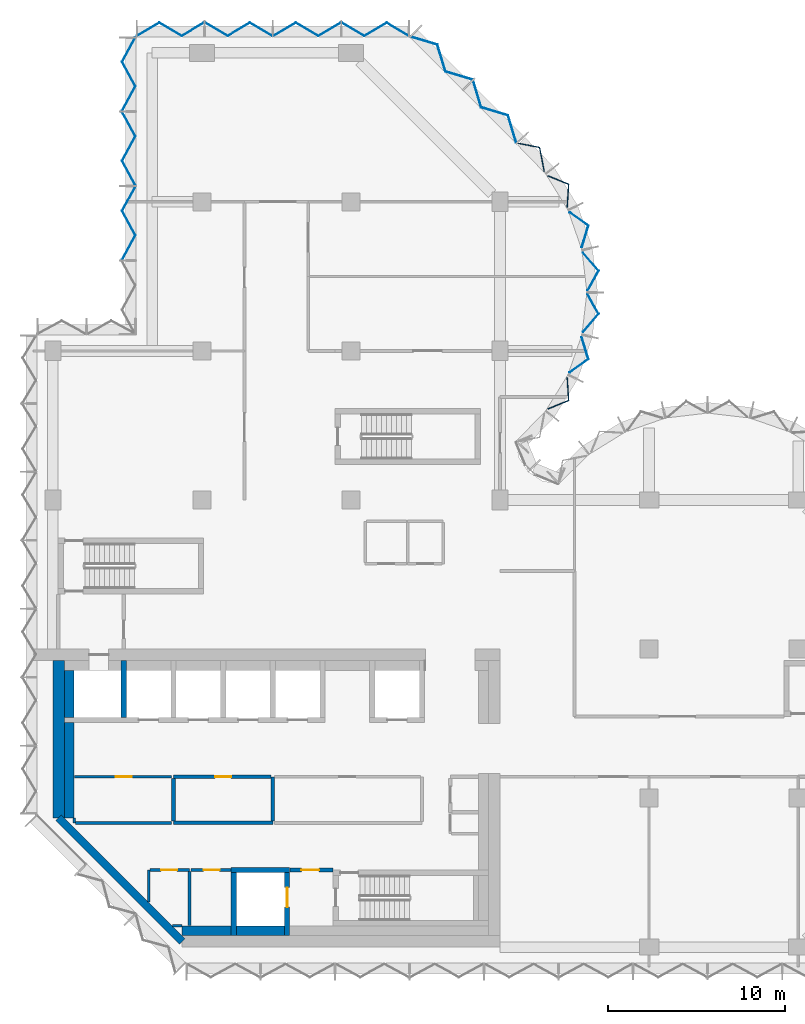
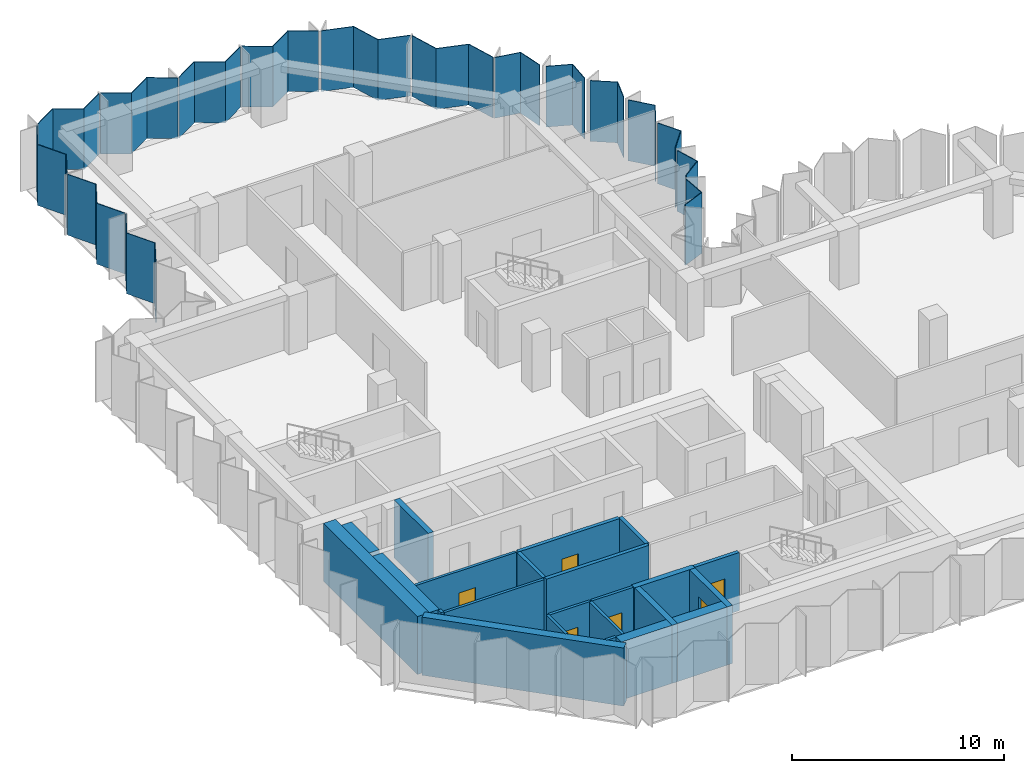
# One storey, part 4 of 9: 23 walls, 16 plates, 6 doors, 6 openings, 4 elements without a shape of their own.
"""IFC4 building model written with IfcOpenShell, lengths in metres."""

from ifc_helpers import new_model, si_unit, direction, frame, frame_2d, origin, place, context, subcontext, project, spatial, polyline, rectangle, outline, extrude, material, layer, layer_set, type_object, element, fill, aggregate, save


model = new_model("IFC4")

# Units and contexts
model_context = context("Model", 3, precision=1e-05, world=origin(), true_north=direction((0.0, 1.0)))
body_context = subcontext(model_context, "Body", "Model", "MODEL_VIEW")
ifc_project = project(units=[si_unit("LENGTHUNIT", "METRE"), si_unit("AREAUNIT", "SQUARE_METRE"), si_unit("VOLUMEUNIT", "CUBIC_METRE"), si_unit("PLANEANGLEUNIT", "RADIAN"), si_unit("MASSUNIT", "GRAM", prefix="KILO")], contexts=[model_context])

# Site, building, storey
site_placement = place(None, origin())
site = spatial("IfcSite", under=ifc_project, at=site_placement, CompositionType="ELEMENT")
building_placement = place(site_placement, origin())
building = spatial("IfcBuilding", under=site, at=building_placement, Name="Brevane Broadcast Tower", CompositionType="ELEMENT")
storey_placement = place(building_placement, frame((0.0, 0.0, 188.39990234375)))
storey = spatial("IfcBuildingStorey", under=building, at=storey_placement, Name="L47", CompositionType="ELEMENT", Elevation=188.39990234375)

# Curtain wall, plates
ifc_material_1 = material(Name="Aluminium 6063-T6 bronze anodised", Category="aluminium")
curtain_wall_type = type_object("IfcCurtainWallType", Name="CW-1 curtain wall", PredefinedType="NOTDEFINED", material=ifc_material_1)
curtain_wall_1_placement = place(storey_placement, origin())
curtain_wall_1 = element("IfcCurtainWall", 1, at=curtain_wall_1_placement, inside=storey, type_object=curtain_wall_type, Name="CW-1 typical tilted unit L47 north bow", PredefinedType="NOTDEFINED")
ifc_material_2 = material(Name="Laminated glass bronze-tinted", Category="glass")
ifc_layer_1 = layer(ifc_material_2, 0.0400390625)
ifc_layer_set_1 = layer_set([ifc_layer_1], Name="CW tall glass panel 40")
plate_type = type_object("IfcPlateType", Name="CW tall glass panel 40", PredefinedType="CURTAIN_PANEL", material=ifc_layer_set_1)
plate_1_placement = place(storey_placement, frame((0.0, 0.0, -0.14990234375)))
plate_1 = element("IfcPlate", 2, at=plate_1_placement, type_object=plate_type, Name="CW-1 glass panel", PredefinedType="CURTAIN_PANEL", context=body_context, shape_type="SweptSolid", body=[
    extrude(outline(polyline([(27.8759765625, 30.343017578125), (27.912109375, 30.314697265625), (29.089111328125, 30.7958984375), (29.006591796875, 32.08935546875), (28.96533203125, 32.10888671875), (29.04736328125, 30.822265625), (27.8759765625, 30.343017578125)])), origin(), (0.0, 0.0, 1.0), 3.5),
])
plate_2_placement = place(storey_placement, frame((0.0, 0.0, -0.14990234375)))
plate_2 = element("IfcPlate", 3, at=plate_2_placement, type_object=plate_type, Name="CW-1 glass panel", PredefinedType="CURTAIN_PANEL", context=body_context, shape_type="SweptSolid", body=[
    extrude(outline(polyline([(29.104248046875, 32.400634765625), (29.1455078125, 32.381103515625), (30.20166015625, 33.132080078125), (29.83349609375, 34.349365234375), (29.78857421875, 34.359619140625), (30.155029296875, 33.148193359375), (29.104248046875, 32.400634765625)])), origin(), (0.0, 0.0, 1.0), 3.5),
])
plate_3_placement = place(storey_placement, frame((0.0, 0.0, -0.14990234375)))
plate_3 = element("IfcPlate", 4, at=plate_3_placement, type_object=plate_type, Name="CW-1 glass panel", PredefinedType="CURTAIN_PANEL", context=body_context, shape_type="SweptSolid", body=[
    extrude(outline(polyline([(29.859619140625, 34.6748046875), (29.903564453125, 34.664794921875), (30.779296875, 35.68310546875), (30.15869140625, 36.7919921875), (30.11279296875, 36.7919921875), (30.730712890625, 35.68798828125), (29.859619140625, 34.6748046875)])), origin(), (0.0, 0.0, 1.0), 3.5),
])
plate_4_placement = place(storey_placement, frame((0.0, 0.0, -0.14990234375)))
plate_4 = element("IfcPlate", 5, at=plate_4_placement, type_object=plate_type, Name="CW-1 glass panel", PredefinedType="CURTAIN_PANEL", context=body_context, shape_type="SweptSolid", body=[
    extrude(outline(polyline([(30.11279296875, 37.008056640625), (30.15869140625, 37.008056640625), (30.779296875, 38.116943359375), (29.903564453125, 39.13525390625), (29.859619140625, 39.125), (30.730712890625, 38.112060546875), (30.11279296875, 37.008056640625)])), origin(), (0.0, 0.0, 1.0), 3.5),
])
plate_5_placement = place(storey_placement, frame((0.0, 0.0, -0.14990234375)))
plate_5 = element("IfcPlate", 6, at=plate_5_placement, type_object=plate_type, Name="CW-1 glass panel", PredefinedType="CURTAIN_PANEL", context=body_context, shape_type="SweptSolid", body=[
    extrude(outline(polyline([(29.78857421875, 39.440185546875), (29.83349609375, 39.45068359375), (30.20166015625, 40.667724609375), (29.1455078125, 41.4189453125), (29.104248046875, 41.3994140625), (30.155029296875, 40.65185546875), (29.78857421875, 39.440185546875)])), origin(), (0.0, 0.0, 1.0), 3.5),
])
plate_6_placement = place(storey_placement, frame((0.0, 0.0, -0.14990234375)))
plate_6 = element("IfcPlate", 7, at=plate_6_placement, type_object=plate_type, Name="CW-1 glass panel", PredefinedType="CURTAIN_PANEL", context=body_context, shape_type="SweptSolid", body=[
    extrude(outline(polyline([(28.96533203125, 41.69091796875), (29.006591796875, 41.710693359375), (29.089111328125, 43.00390625), (27.912109375, 43.4853515625), (27.8759765625, 43.45703125), (29.04736328125, 42.977783203125), (28.96533203125, 41.69091796875)])), origin(), (0.0, 0.0, 1.0), 3.5),
])
plate_7_placement = place(storey_placement, frame((0.0, 0.0, -0.14990234375)))
plate_7 = element("IfcPlate", 8, at=plate_7_placement, type_object=plate_type, Name="CW-1 glass panel", PredefinedType="CURTAIN_PANEL", context=body_context, shape_type="SweptSolid", body=[
    extrude(outline(polyline([(27.67626953125, 43.7109375), (27.71142578125, 43.738525390625), (27.447265625, 45.086181640625), (26.17919921875, 45.327880859375), (26.14404296875, 45.2939453125), (27.4130859375, 45.052001953125), (27.67626953125, 43.7109375)])), origin(), (0.0, 0.0, 1.0), 3.5),
])
aggregate(curtain_wall_1, [plate_1, plate_2, plate_3, plate_4, plate_5, plate_6, plate_7])

curtain_wall_2_placement = place(storey_placement, origin())
curtain_wall_2 = element("IfcCurtainWall", 9, at=curtain_wall_2_placement, inside=storey, type_object=curtain_wall_type, Name="CW-1 typical tilted unit L47 north arm north-east chamfer", PredefinedType="NOTDEFINED")
plate_8_placement = place(storey_placement, frame((0.0, 0.0, -0.14990234375)))
plate_8 = element("IfcPlate", 10, at=plate_8_placement, type_object=plate_type, Name="CW-1 glass panel", PredefinedType="CURTAIN_PANEL", context=body_context, shape_type="SweptSolid", body=[
    extrude(outline(polyline([(26.094482421875, 45.343994140625), (26.126708984375, 45.376220703125), (25.66943359375, 46.885986328125), (24.15966796875, 47.343017578125), (23.702392578125, 48.85302734375), (23.67041015625, 48.82080078125), (24.127685546875, 47.31103515625), (25.637451171875, 46.85400390625), (26.094482421875, 45.343994140625)])), origin(), (0.0, 0.0, 1.0), 3.5),
])
plate_9_placement = place(storey_placement, frame((0.0, 0.0, -0.14990234375)))
plate_9 = element("IfcPlate", 11, at=plate_9_placement, type_object=plate_type, Name="CW-1 glass panel", PredefinedType="CURTAIN_PANEL", context=body_context, shape_type="SweptSolid", body=[
    extrude(outline(polyline([(23.620849609375, 48.870361328125), (23.653076171875, 48.902587890625), (22.14306640625, 49.359619140625), (21.68603515625, 50.869384765625), (20.176025390625, 51.32666015625), (20.14404296875, 51.294677734375), (21.65380859375, 50.83740234375), (22.111083984375, 49.32763671875), (23.620849609375, 48.870361328125)])), origin(), (0.0, 0.0, 1.0), 3.5),
])
aggregate(curtain_wall_2, [plate_8, plate_9])

curtain_wall_3_placement = place(storey_placement, origin())
curtain_wall_3 = element("IfcCurtainWall", 12, at=curtain_wall_3_placement, inside=storey, type_object=curtain_wall_type, Name="CW-1 typical tilted unit L47 north end", PredefinedType="NOTDEFINED")
plate_10_placement = place(storey_placement, frame((0.0, 0.0, -0.14990234375)))
plate_10 = element("IfcPlate", 13, at=plate_10_placement, type_object=plate_type, Name="CW-1 glass panel", PredefinedType="CURTAIN_PANEL", context=body_context, shape_type="SweptSolid", body=[
    extrude(outline(polyline([(20.06494140625, 51.326904296875), (20.06494140625, 51.373291015625), (18.804931640625, 52.11767578125), (17.544921875, 51.373291015625), (16.284912109375, 52.11767578125), (16.284912109375, 52.0712890625), (17.544921875, 51.326904296875), (18.804931640625, 52.0712890625), (20.06494140625, 51.326904296875)])), origin(), (0.0, 0.0, 1.0), 3.5),
])
plate_11_placement = place(storey_placement, frame((0.0, 0.0, -0.14990234375)))
plate_11 = element("IfcPlate", 14, at=plate_11_placement, type_object=plate_type, Name="CW-1 glass panel", PredefinedType="CURTAIN_PANEL", context=body_context, shape_type="SweptSolid", body=[
    extrude(outline(polyline([(16.215087890625, 52.0712890625), (16.215087890625, 52.11767578125), (14.955078125, 51.373291015625), (13.695068359375, 52.11767578125), (12.43505859375, 51.373291015625), (12.43505859375, 51.326904296875), (13.695068359375, 52.0712890625), (14.955078125, 51.326904296875), (16.215087890625, 52.0712890625)])), origin(), (0.0, 0.0, 1.0), 3.5),
])
plate_12_placement = place(storey_placement, frame((0.0, 0.0, -0.14990234375)))
plate_12 = element("IfcPlate", 15, at=plate_12_placement, type_object=plate_type, Name="CW-1 glass panel", PredefinedType="CURTAIN_PANEL", context=body_context, shape_type="SweptSolid", body=[
    extrude(outline(polyline([(12.364990234375, 51.326904296875), (12.364990234375, 51.373291015625), (11.10498046875, 52.11767578125), (9.844970703125, 51.373291015625), (8.5849609375, 52.11767578125), (8.5849609375, 52.0712890625), (9.844970703125, 51.326904296875), (11.10498046875, 52.0712890625), (12.364990234375, 51.326904296875)])), origin(), (0.0, 0.0, 1.0), 3.5),
])
plate_13_placement = place(storey_placement, frame((0.0, 0.0, -0.14990234375)))
plate_13 = element("IfcPlate", 16, at=plate_13_placement, type_object=plate_type, Name="CW-1 glass panel", PredefinedType="CURTAIN_PANEL", context=body_context, shape_type="SweptSolid", body=[
    extrude(outline(polyline([(8.514892578125, 52.0712890625), (8.514892578125, 52.11767578125), (7.2548828125, 51.373291015625), (5.9951171875, 52.11767578125), (4.735107421875, 51.373291015625), (4.735107421875, 51.326904296875), (5.9951171875, 52.0712890625), (7.2548828125, 51.326904296875), (8.514892578125, 52.0712890625)])), origin(), (0.0, 0.0, 1.0), 3.5),
])
aggregate(curtain_wall_3, [plate_10, plate_11, plate_12, plate_13])

curtain_wall_4_placement = place(storey_placement, origin())
curtain_wall_4 = element("IfcCurtainWall", 17, at=curtain_wall_4_placement, inside=storey, type_object=curtain_wall_type, Name="CW-1 typical tilted unit L47 north wing west face, lower block", PredefinedType="NOTDEFINED")
plate_14_placement = place(storey_placement, frame((0.0, 0.0, -0.14990234375)))
plate_14 = element("IfcPlate", 18, at=plate_14_placement, type_object=plate_type, Name="CW-1 glass panel", PredefinedType="CURTAIN_PANEL", context=body_context, shape_type="SweptSolid", body=[
    extrude(outline(polyline([(4.672607421875, 51.264892578125), (4.627197265625, 51.264892578125), (3.8828125, 49.88818359375), (4.627197265625, 48.51171875), (3.8828125, 47.135009765625), (3.92822265625, 47.135009765625), (4.672607421875, 48.51171875), (3.92822265625, 49.88818359375), (4.672607421875, 51.264892578125)])), origin(), (0.0, 0.0, 1.0), 3.5),
])
plate_15_placement = place(storey_placement, frame((0.0, 0.0, -0.14990234375)))
plate_15 = element("IfcPlate", 19, at=plate_15_placement, type_object=plate_type, Name="CW-1 glass panel", PredefinedType="CURTAIN_PANEL", context=body_context, shape_type="SweptSolid", body=[
    extrude(outline(polyline([(3.92822265625, 47.06494140625), (3.8828125, 47.06494140625), (4.627197265625, 45.688232421875), (3.8828125, 44.311767578125), (4.627197265625, 42.93505859375), (4.672607421875, 42.93505859375), (3.92822265625, 44.311767578125), (4.672607421875, 45.688232421875), (3.92822265625, 47.06494140625)])), origin(), (0.0, 0.0, 1.0), 3.5),
])
plate_16_placement = place(storey_placement, frame((0.0, 0.0, -0.14990234375)))
plate_16 = element("IfcPlate", 20, at=plate_16_placement, type_object=plate_type, Name="CW-1 glass panel", PredefinedType="CURTAIN_PANEL", context=body_context, shape_type="SweptSolid", body=[
    extrude(outline(polyline([(4.672607421875, 42.864990234375), (4.627197265625, 42.864990234375), (3.8828125, 41.48828125), (4.627197265625, 40.11181640625), (3.8828125, 38.735107421875), (3.92822265625, 38.735107421875), (4.672607421875, 40.11181640625), (3.92822265625, 41.48828125), (4.672607421875, 42.864990234375)])), origin(), (0.0, 0.0, 1.0), 3.5),
])
aggregate(curtain_wall_4, [plate_14, plate_15, plate_16])

# Walls
ifc_material_3 = material(Name="Concrete C32/40", Category="concrete")
ifc_layer_2 = layer(ifc_material_3, 0.550048828125)
ifc_layer_set_2 = layer_set([ifc_layer_2], Name="Core chase wall 550 mm")
wall_type_1 = type_object("IfcWallType", Name="Core chase wall 550 mm", PredefinedType="PARTITIONING", material=ifc_layer_set_2)
wall_1_placement = place(storey_placement, frame((0.925048828125, 7.286376953125, 0.0), z_axis=(0.0, 0.0, 1.0), x_axis=(0.0, 1.0, 0.0)))
element("IfcWall", 21, at=wall_1_placement, inside=storey, type_object=wall_type_1, Name="L47 chase wall LW-1", PredefinedType="PARTITIONING", context=body_context, shape_type="SweptSolid", body=[
    extrude(rectangle(XDim=5.363525390625, YDim=0.550048828125, at=frame_2d((2.681640625, 0.0))), origin(), (0.0, 0.0, 1.0), 3.35009765625),
])
wall_2_placement = place(storey_placement, frame((0.925048828125, 12.949951171875, 0.0), z_axis=(0.0, 0.0, 1.0), x_axis=(0.0, 1.0, 0.0)))
element("IfcWall", 22, at=wall_2_placement, inside=storey, type_object=wall_type_1, Name="L47 chase wall LW-2", PredefinedType="PARTITIONING", context=body_context, shape_type="SweptSolid", body=[
    extrude(rectangle(XDim=2.650146484375, YDim=0.550048828125, at=frame_2d((1.3251953125, 0.0))), origin(), (0.0, 0.0, 1.0), 3.35009765625),
])
wall_3_placement = place(storey_placement, frame((7.286376953125, 0.925048828125, 0.0), z_axis=(0.0, 0.0, 1.0), x_axis=(1.0, 0.0, 0.0)))
element("IfcWall", 23, at=wall_3_placement, inside=storey, type_object=wall_type_1, Name="L47 chase wall LS-1", PredefinedType="PARTITIONING", context=body_context, shape_type="SweptSolid", body=[
    extrude(rectangle(XDim=2.763671875, YDim=0.550048828125, at=frame_2d((1.3818359375, 0.0))), origin(), (0.0, 0.0, 1.0), 3.35009765625),
])
wall_4_placement = place(storey_placement, frame((10.35009765625, 0.925048828125, 0.0), z_axis=(0.0, 0.0, 1.0), x_axis=(1.0, 0.0, 0.0)))
element("IfcWall", 24, at=wall_4_placement, inside=storey, type_object=wall_type_1, Name="L47 chase wall LS-2-1", PredefinedType="PARTITIONING", context=body_context, shape_type="SweptSolid", body=[
    extrude(rectangle(XDim=2.699951171875, YDim=0.550048828125, at=frame_2d((1.35009765625, 0.0))), origin(), (0.0, 0.0, 1.0), 3.35009765625),
])
ifc_material_4 = material(Name="Gypsum board on steel studs", Category="steel")
ifc_layer_3 = layer(ifc_material_4, 0.14990234375)
ifc_layer_set_3 = layer_set([ifc_layer_3], Name="Core fire partition 150 mm")
wall_type_2 = type_object("IfcWallType", Name="Core fire partition 150 mm", PredefinedType="PARTITIONING", material=ifc_layer_set_3)
wall_5_placement = place(storey_placement, frame((5.39990234375, 2.553466796875, 0.0), z_axis=(0.0, 0.0, 1.0), x_axis=(0.0, 1.0, 0.0)))
element("IfcWall", 25, at=wall_5_placement, inside=storey, type_object=wall_type_2, Name="L47 partition wall P11", PredefinedType="PARTITIONING", context=body_context, shape_type="SweptSolid", body=[
    extrude(rectangle(XDim=1.796630859375, YDim=0.14990234375, at=frame_2d((0.8984375, 0.0))), origin(), (0.0, 0.0, 1.0), 3.35009765625),
])

# Wall, opening, door
wall_6_placement = place(storey_placement, frame((5.47509765625, 4.35009765625, 0.0), z_axis=(0.0, 0.0, 1.0), x_axis=(1.0, 0.0, 0.0)))
wall_6 = element("IfcWall", 26, at=wall_6_placement, inside=storey, type_object=wall_type_2, Name="L47 partition wall P12", PredefinedType="PARTITIONING", context=body_context, shape_type="SweptSolid", body=[
    extrude(rectangle(XDim=2.224853515625, YDim=0.14990234375, at=frame_2d((1.1123046875, 0.0))), origin(), (0.0, 0.0, 1.0), 3.35009765625),
])
opening_1_placement = place(wall_6_placement, frame((0.625, 0.0, 0.0)))
opening_1 = element("IfcOpeningElement", 27, at=opening_1_placement, cuts=wall_6, Name="Opening L47-K14", PredefinedType="OPENING", context=body_context, shape_type="SweptSolid", body=[
    extrude(rectangle(XDim=0.89990234375, YDim=2.10009765625, at=frame_2d((0.449951171875, 1.050048828125))), frame((0.0, 0.0849609375, 0.0), z_axis=(0.0, -1.0, 0.0), x_axis=(1.0, 0.0, 0.0)), (0.0, 0.0, 1.0), 0.169921875),
])
ifc_material_5 = material(Name="Timber", Category="wood")
door_type_1 = type_object("IfcDoorType", Name="Toilet door 900 x 2100", OperationType="SINGLE_SWING_LEFT", PredefinedType="DOOR", material=ifc_material_5)
door_1_placement = place(opening_1_placement, origin())
door_1 = element("IfcDoor", 28, at=door_1_placement, inside=storey, type_object=door_type_1, Name="Door L47-K14", OperationType="SINGLE_SWING_RIGHT", OverallHeight=2.10009765625, OverallWidth=0.89990234375, PredefinedType="DOOR", context=body_context, shape_type="SweptSolid", body=[
    extrude(rectangle(XDim=0.89990234375, YDim=2.10009765625, at=frame_2d((0.449951171875, 1.050048828125))), frame((0.0, 0.02490234375, 0.0), z_axis=(0.0, -1.0, 0.0), x_axis=(1.0, 0.0, 0.0)), (0.0, 0.0, 1.0), 0.050048828125),
])
fill(opening_1, door_1)

# Walls
wall_7_placement = place(storey_placement, frame((7.699951171875, 4.27490234375, 0.0), z_axis=(0.0, 0.0, 1.0), x_axis=(0.0, -1.0, 0.0)))
element("IfcWall", 29, at=wall_7_placement, inside=storey, type_object=wall_type_2, Name="L47 partition wall P13", PredefinedType="PARTITIONING", context=body_context, shape_type="SweptSolid", body=[
    extrude(rectangle(XDim=3.06298828125, YDim=0.14990234375, at=frame_2d((1.531494140625, 0.0))), origin(), (0.0, 0.0, 1.0), 3.35009765625),
])
wall_8_placement = place(storey_placement, frame((7.2744140625, 1.199951171875, 0.0), z_axis=(0.0, 0.0, 1.0), x_axis=(-1.0, 0.0, 0.0)))
element("IfcWall", 30, at=wall_8_placement, inside=storey, type_object=wall_type_2, Name="L47 partition wall P14", PredefinedType="PARTITIONING", context=body_context, shape_type="SweptSolid", body=[
    extrude(rectangle(XDim=0.52099609375, YDim=0.14990234375, at=frame_2d((0.260498046875, 0.0))), origin(), (0.0, 0.0, 1.0), 3.35009765625),
])

# Wall, opening, door
wall_9_placement = place(storey_placement, frame((6.699951171875, 9.60009765625, 0.0), z_axis=(0.0, 0.0, 1.0), x_axis=(-1.0, 0.0, 0.0)))
wall_9 = element("IfcWall", 31, at=wall_9_placement, inside=storey, type_object=wall_type_2, Name="L47 partition wall P15", PredefinedType="PARTITIONING", context=body_context, shape_type="SweptSolid", body=[
    extrude(rectangle(XDim=5.488037109375, YDim=0.14990234375, at=frame_2d((2.744140625, 0.0))), origin(), (0.0, 0.0, 1.0), 3.35009765625),
])
opening_2_placement = place(wall_9_placement, frame((2.25, 0.0, 0.0)))
opening_2 = element("IfcOpeningElement", 32, at=opening_2_placement, cuts=wall_9, Name="Opening L47-K19", PredefinedType="OPENING", context=body_context, shape_type="SweptSolid", body=[
    extrude(rectangle(XDim=0.89990234375, YDim=2.10009765625, at=frame_2d((0.449951171875, 1.050048828125))), frame((0.0, 0.0849609375, 0.0), z_axis=(0.0, -1.0, 0.0), x_axis=(1.0, 0.0, 0.0)), (0.0, 0.0, 1.0), 0.169921875),
])
ifc_material_6 = material(Name="Steel", Category="steel")
door_type_2 = type_object("IfcDoorType", Name="Service room door 900 x 2100", OperationType="SINGLE_SWING_LEFT", PredefinedType="DOOR", material=ifc_material_6)
door_2_placement = place(opening_2_placement, origin())
door_2 = element("IfcDoor", 33, at=door_2_placement, inside=storey, type_object=door_type_2, Name="Door L47-K19", OperationType="SINGLE_SWING_LEFT", OverallHeight=2.10009765625, OverallWidth=0.89990234375, PredefinedType="DOOR", context=body_context, shape_type="SweptSolid", body=[
    extrude(rectangle(XDim=0.89990234375, YDim=2.10009765625, at=frame_2d((0.449951171875, 1.050048828125))), frame((0.0, 0.02490234375, 0.0), z_axis=(0.0, -1.0, 0.0), x_axis=(1.0, 0.0, 0.0)), (0.0, 0.0, 1.0), 0.050048828125),
])
fill(opening_2, door_2)

# Walls
wall_10_placement = place(storey_placement, frame((1.199951171875, 7.2744140625, 0.0), z_axis=(0.0, 0.0, 1.0), x_axis=(0.0, -1.0, 0.0)))
element("IfcWall", 34, at=wall_10_placement, inside=storey, type_object=wall_type_2, Name="L47 partition wall P16", PredefinedType="PARTITIONING", context=body_context, shape_type="SweptSolid", body=[
    extrude(rectangle(XDim=0.2744140625, YDim=0.14990234375, at=frame_2d((0.13720703125, 0.0))), origin(), (0.0, 0.0, 1.0), 3.35009765625),
])
wall_11_placement = place(storey_placement, frame((1.27490234375, 7.0, 0.0), z_axis=(0.0, 0.0, 1.0), x_axis=(1.0, 0.0, 0.0)))
element("IfcWall", 35, at=wall_11_placement, inside=storey, type_object=wall_type_2, Name="L47 partition wall P17", PredefinedType="PARTITIONING", context=body_context, shape_type="SweptSolid", body=[
    extrude(rectangle(XDim=5.425048828125, YDim=0.14990234375, at=frame_2d((2.71240234375, 0.0))), origin(), (0.0, 0.0, 1.0), 3.35009765625),
])

# Wall, opening, door
wall_12_placement = place(storey_placement, frame((10.0380859375, 4.35009765625, 0.0), z_axis=(0.0, 0.0, 1.0), x_axis=(-1.0, 0.0, 0.0)))
wall_12 = element("IfcWall", 36, at=wall_12_placement, inside=storey, type_object=wall_type_2, Name="L47 partition wall P18", PredefinedType="PARTITIONING", context=body_context, shape_type="SweptSolid", body=[
    extrude(rectangle(XDim=2.26318359375, YDim=0.14990234375, at=frame_2d((1.131591796875, 0.0))), origin(), (0.0, 0.0, 1.0), 3.35009765625),
])
opening_3_placement = place(wall_12_placement, frame((0.637939453125, 0.0, 0.0)))
opening_3 = element("IfcOpeningElement", 37, at=opening_3_placement, cuts=wall_12, Name="Opening L47-K15", PredefinedType="OPENING", context=body_context, shape_type="SweptSolid", body=[
    extrude(rectangle(XDim=0.89990234375, YDim=2.10009765625, at=frame_2d((0.449951171875, 1.050048828125))), frame((0.0, 0.0849609375, 0.0), z_axis=(0.0, -1.0, 0.0), x_axis=(1.0, 0.0, 0.0)), (0.0, 0.0, 1.0), 0.169921875),
])
door_3_placement = place(opening_3_placement, origin())
door_3 = element("IfcDoor", 38, at=door_3_placement, inside=storey, type_object=door_type_1, Name="Door L47-K15", OperationType="SINGLE_SWING_LEFT", OverallHeight=2.10009765625, OverallWidth=0.89990234375, PredefinedType="DOOR", context=body_context, shape_type="SweptSolid", body=[
    extrude(rectangle(XDim=0.89990234375, YDim=2.10009765625, at=frame_2d((0.449951171875, 1.050048828125))), frame((0.0, 0.02490234375, 0.0), z_axis=(0.0, -1.0, 0.0), x_axis=(1.0, 0.0, 0.0)), (0.0, 0.0, 1.0), 0.050048828125),
])
fill(opening_3, door_3)

ifc_layer_4 = layer(ifc_material_4, 0.199951171875)
ifc_layer_set_4 = layer_set([ifc_layer_4], Name="Core fire partition 200 mm")
wall_type_3 = type_object("IfcWallType", Name="Core fire partition 200 mm", PredefinedType="PARTITIONING", material=ifc_layer_set_4)
wall_13_placement = place(storey_placement, frame((13.362060546875, 4.35009765625, 0.0), z_axis=(0.0, 0.0, 1.0), x_axis=(1.0, 0.0, 0.0)))
wall_13 = element("IfcWall", 39, at=wall_13_placement, inside=storey, type_object=wall_type_3, Name="L47 partition wall P03", PredefinedType="PARTITIONING", context=body_context, shape_type="SweptSolid", body=[
    extrude(rectangle(XDim=2.426025390625, YDim=0.199951171875, at=frame_2d((1.212890625, 0.0))), origin(), (0.0, 0.0, 1.0), 3.35009765625),
])
opening_4_placement = place(wall_13_placement, frame((0.637939453125, 0.0, 0.0)))
opening_4 = element("IfcOpeningElement", 40, at=opening_4_placement, cuts=wall_13, Name="Opening L47-K16", PredefinedType="OPENING", context=body_context, shape_type="SweptSolid", body=[
    extrude(rectangle(XDim=1.0, YDim=2.10009765625, at=frame_2d((0.5, 1.050048828125))), frame((0.0, 0.10986328125, 0.0), z_axis=(0.0, -1.0, 0.0), x_axis=(1.0, 0.0, 0.0)), (0.0, 0.0, 1.0), 0.219970703125),
])
door_type_3 = type_object("IfcDoorType", Name="Stair door 1000 x 2100", OperationType="SINGLE_SWING_LEFT", PredefinedType="DOOR", material=ifc_material_6)
door_4_placement = place(opening_4_placement, origin())
door_4 = element("IfcDoor", 41, at=door_4_placement, inside=storey, type_object=door_type_3, Name="Door L47-K16", OperationType="SINGLE_SWING_RIGHT", OverallHeight=2.10009765625, OverallWidth=1.0, PredefinedType="DOOR", context=body_context, shape_type="SweptSolid", body=[
    extrude(rectangle(XDim=1.0, YDim=2.10009765625, at=frame_2d((0.5, 1.050048828125))), frame((0.0, 0.02490234375, 0.0), z_axis=(0.0, -1.0, 0.0), x_axis=(1.0, 0.0, 0.0)), (0.0, 0.0, 1.0), 0.050048828125),
])
fill(opening_4, door_4)

# Walls
wall_14_placement = place(storey_placement, frame((6.800048828125, 7.0, 0.0), z_axis=(0.0, 0.0, 1.0), x_axis=(1.0, 0.0, 0.0)))
element("IfcWall", 42, at=wall_14_placement, inside=storey, type_object=wall_type_3, Name="L47 partition wall P07", PredefinedType="PARTITIONING", context=body_context, shape_type="SweptSolid", body=[
    extrude(rectangle(XDim=5.599853515625, YDim=0.199951171875, at=frame_2d((2.7998046875, 0.0))), origin(), (0.0, 0.0, 1.0), 3.35009765625),
])
wall_15_placement = place(storey_placement, frame((12.39990234375, 7.10009765625, 0.0), z_axis=(0.0, 0.0, 1.0), x_axis=(0.0, 1.0, 0.0)))
element("IfcWall", 43, at=wall_15_placement, inside=storey, type_object=wall_type_3, Name="L47 partition wall P08", PredefinedType="PARTITIONING", context=body_context, shape_type="SweptSolid", body=[
    extrude(rectangle(XDim=2.5, YDim=0.199951171875, at=frame_2d((1.25, 0.0))), origin(), (0.0, 0.0, 1.0), 3.35009765625),
])

# Wall, opening, door
wall_16_placement = place(storey_placement, frame((12.300048828125, 9.60009765625, 0.0), z_axis=(0.0, 0.0, 1.0), x_axis=(-1.0, 0.0, 0.0)))
wall_16 = element("IfcWall", 44, at=wall_16_placement, inside=storey, type_object=wall_type_3, Name="L47 partition wall P09", PredefinedType="PARTITIONING", context=body_context, shape_type="SweptSolid", body=[
    extrude(rectangle(XDim=5.5, YDim=0.199951171875, at=frame_2d((2.75, 0.0))), origin(), (0.0, 0.0, 1.0), 3.35009765625),
])
opening_5_placement = place(wall_16_placement, frame((2.25, 0.0, 0.0)))
opening_5 = element("IfcOpeningElement", 45, at=opening_5_placement, cuts=wall_16, Name="Opening L47-K20", PredefinedType="OPENING", context=body_context, shape_type="SweptSolid", body=[
    extrude(rectangle(XDim=0.89990234375, YDim=2.10009765625, at=frame_2d((0.449951171875, 1.050048828125))), frame((0.0, 0.10986328125, 0.0), z_axis=(0.0, -1.0, 0.0), x_axis=(1.0, 0.0, 0.0)), (0.0, 0.0, 1.0), 0.219970703125),
])
door_5_placement = place(opening_5_placement, origin())
door_5 = element("IfcDoor", 46, at=door_5_placement, inside=storey, type_object=door_type_2, Name="Door L47-K20", OperationType="SINGLE_SWING_RIGHT", OverallHeight=2.10009765625, OverallWidth=0.89990234375, PredefinedType="DOOR", context=body_context, shape_type="SweptSolid", body=[
    extrude(rectangle(XDim=0.89990234375, YDim=2.10009765625, at=frame_2d((0.449951171875, 1.050048828125))), frame((0.0, 0.02490234375, 0.0), z_axis=(0.0, -1.0, 0.0), x_axis=(1.0, 0.0, 0.0)), (0.0, 0.0, 1.0), 0.050048828125),
])
fill(opening_5, door_5)

# Walls
wall_17_placement = place(storey_placement, frame((6.800048828125, 9.5, 0.0), z_axis=(0.0, 0.0, 1.0), x_axis=(0.0, -1.0, 0.0)))
element("IfcWall", 47, at=wall_17_placement, inside=storey, type_object=wall_type_3, Name="L47 partition wall P10", PredefinedType="PARTITIONING", context=body_context, shape_type="SweptSolid", body=[
    extrude(rectangle(XDim=2.39990234375, YDim=0.199951171875, at=frame_2d((1.199951171875, 0.0))), origin(), (0.0, 0.0, 1.0), 3.35009765625),
])
ifc_material_7 = material(Name="Concrete C60/75", Category="concrete")
ifc_layer_5 = layer(ifc_material_7, 0.300048828125)
ifc_layer_set_5 = layer_set([ifc_layer_5], Name="Core wall 300 mm C60/75")
wall_type_4 = type_object("IfcWallType", Name="Core wall 300 mm C60/75", PredefinedType="SHEAR", material=ifc_layer_set_5)
wall_18_placement = place(storey_placement, frame((4.0, 12.949951171875, 0.0), z_axis=(0.0, 0.0, 1.0), x_axis=(0.0, 1.0, 0.0)))
element("IfcWall", 48, at=wall_18_placement, inside=storey, type_object=wall_type_4, Name="L47 shaft wall SH-N-P040", PredefinedType="SHEAR", context=body_context, shape_type="SweptSolid", body=[
    extrude(rectangle(XDim=3.199951171875, YDim=0.300048828125, at=frame_2d((1.60009765625, 0.0))), origin(), (0.0, 0.0, 1.0), 3.35009765625),
])
wall_19_placement = place(storey_placement, frame((10.199951171875, 0.64990234375, 0.0), z_axis=(0.0, 0.0, 1.0), x_axis=(0.0, 1.0, 0.0)))
element("IfcWall", 49, at=wall_19_placement, inside=storey, type_object=wall_type_4, Name="L47 shaft wall FF2-W", PredefinedType="SHEAR", context=body_context, shape_type="SweptSolid", body=[
    extrude(rectangle(XDim=3.550048828125, YDim=0.300048828125, at=frame_2d((1.77490234375, 0.0))), origin(), (0.0, 0.0, 1.0), 3.35009765625),
])

# Wall, opening, door
wall_20_placement = place(storey_placement, frame((13.199951171875, 0.64990234375, 0.0), z_axis=(0.0, 0.0, 1.0), x_axis=(0.0, 1.0, 0.0)))
wall_20 = element("IfcWall", 50, at=wall_20_placement, inside=storey, type_object=wall_type_4, Name="L47 shaft wall FF2-E", PredefinedType="SHEAR", context=body_context, shape_type="SweptSolid", body=[
    extrude(rectangle(XDim=3.550048828125, YDim=0.300048828125, at=frame_2d((1.77490234375, 0.0))), origin(), (0.0, 0.0, 1.0), 3.35009765625),
])
opening_6_placement = place(wall_20_placement, frame((1.60009765625, 0.0, 0.0)))
opening_6 = element("IfcOpeningElement", 51, at=opening_6_placement, cuts=wall_20, Name="Opening LD", PredefinedType="OPENING", context=body_context, shape_type="SweptSolid", body=[
    extrude(rectangle(XDim=1.10009765625, YDim=2.300048828125, at=frame_2d((0.550048828125, 1.14990234375))), frame((0.0, 0.159912109375, 0.0), z_axis=(0.0, -1.0, 0.0), x_axis=(1.0, 0.0, 0.0)), (0.0, 0.0, 1.0), 0.320068359375),
])
ifc_material_8 = material(Name="Stainless steel", Category="steel")
door_type_4 = type_object("IfcDoorType", Name="Lift landing door", OperationType="SLIDING_TO_LEFT", PredefinedType="DOOR", material=ifc_material_8)
door_6_placement = place(opening_6_placement, origin())
door_6 = element("IfcDoor", 52, at=door_6_placement, inside=storey, type_object=door_type_4, Name="Landing door FF2 L47", OperationType="SLIDING_TO_LEFT", OverallHeight=2.300048828125, OverallWidth=1.10009765625, PredefinedType="DOOR", context=body_context, shape_type="SweptSolid", body=[
    extrude(rectangle(XDim=1.10009765625, YDim=2.300048828125, at=frame_2d((0.550048828125, 1.14990234375))), frame((0.0, 0.02490234375, 0.0), z_axis=(0.0, -1.0, 0.0), x_axis=(1.0, 0.0, 0.0)), (0.0, 0.0, 1.0), 0.050048828125),
])
fill(opening_6, door_6)

# Walls
wall_21_placement = place(storey_placement, frame((10.050048828125, 4.35009765625, 0.0), z_axis=(0.0, 0.0, 1.0), x_axis=(1.0, 0.0, 0.0)))
element("IfcWall", 53, at=wall_21_placement, inside=storey, type_object=wall_type_4, Name="L47 shaft wall FF2-N", PredefinedType="SHEAR", context=body_context, shape_type="SweptSolid", body=[
    extrude(rectangle(XDim=3.300048828125, YDim=0.300048828125, at=frame_2d((1.64990234375, 0.0))), origin(), (0.0, 0.0, 1.0), 3.35009765625),
])
ifc_layer_6 = layer(ifc_material_7, 0.449951171875)
ifc_layer_set_6 = layer_set([ifc_layer_6], Name="Core wall 450 mm C60/75")
wall_type_5 = type_object("IfcWallType", Name="Core wall 450 mm C60/75", PredefinedType="SHEAR", material=ifc_layer_set_6)
wall_22_placement = place(storey_placement, frame((0.324951171875, 7.293212890625, 0.0), z_axis=(0.0, 0.0, 1.0), x_axis=(0.707106781187, -0.707106781187, 0.0)))
element("IfcWall", 54, at=wall_22_placement, inside=storey, type_object=wall_type_5, Name="L47 outer wall WC", PredefinedType="SHEAR", context=body_context, shape_type="SweptSolid", body=[
    extrude(rectangle(XDim=9.8544921875, YDim=0.449951171875, at=frame_2d((4.92724609375, 0.0))), origin(), (0.0, 0.0, 1.0), 3.35009765625),
])
ifc_layer_7 = layer(ifc_material_7, 0.64990234375)
ifc_layer_set_7 = layer_set([ifc_layer_7], Name="Core wall 650 mm C60/75")
wall_type_6 = type_object("IfcWallType", Name="Core wall 650 mm C60/75", PredefinedType="SHEAR", material=ifc_layer_set_7)
wall_23_placement = place(storey_placement, frame((0.324951171875, 7.286376953125, 0.0), z_axis=(0.0, 0.0, 1.0), x_axis=(0.0, 1.0, 0.0)))
element("IfcWall", 55, at=wall_23_placement, inside=storey, type_object=wall_type_6, Name="L47 outer wall WW", PredefinedType="SHEAR", context=body_context, shape_type="SweptSolid", body=[
    extrude(rectangle(XDim=8.863525390625, YDim=0.64990234375, at=frame_2d((4.431640625, 0.0))), origin(), (0.0, 0.0, 1.0), 3.35009765625),
])

save(model, "model.ifc")
